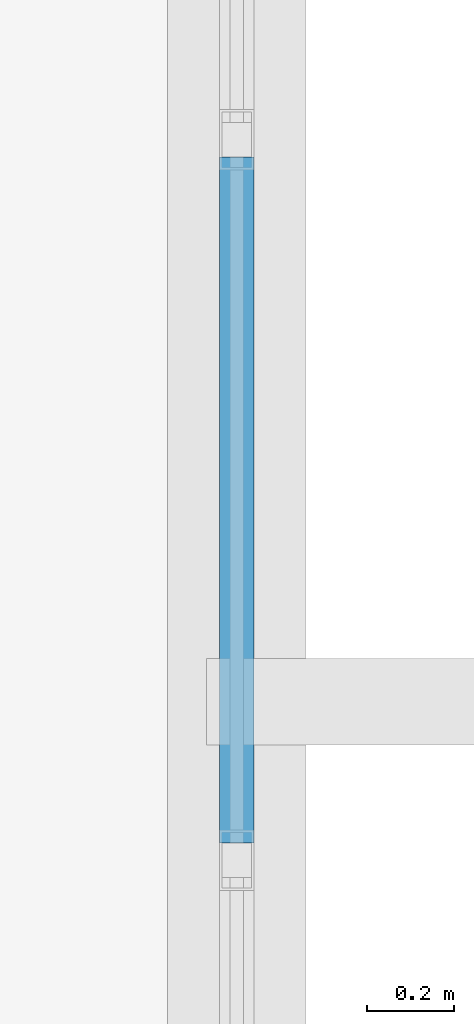
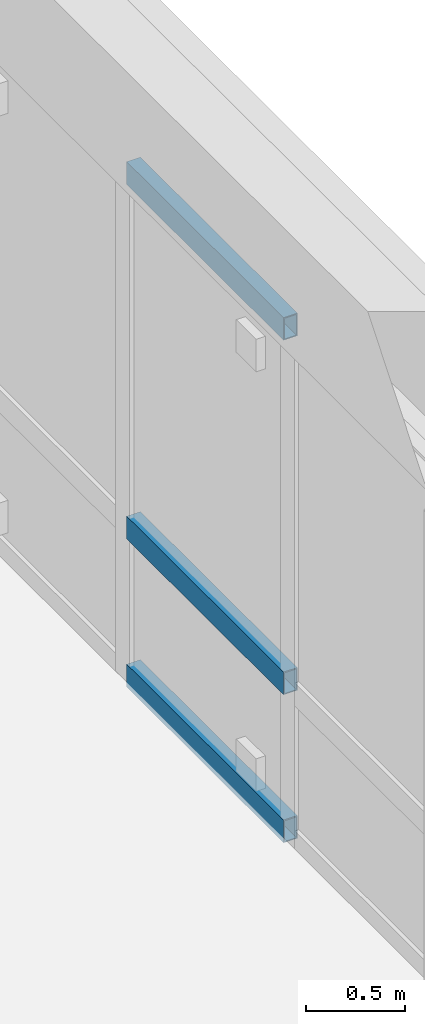
# One storey, part 148 of 217: 3 members, 1 element without a shape of its own.
"""IFC4 building model written with IfcOpenShell, lengths in metres."""

from ifc_helpers import new_model, si_unit, direction, frame, origin, origin_2d, place, context, subcontext, project, spatial, hollow_rectangle, extrude, material, layer, layer_set, material_profile, profile_set, type_object, element, aggregate, save


model = new_model("IFC4")

# Units and contexts
model_context = context("Model", 3, precision=1e-05, world=origin(), true_north=direction((0.0, 1.0)))
body_context = subcontext(model_context, "Body", "Model", "MODEL_VIEW")
ifc_project = project(units=[si_unit("LENGTHUNIT", "METRE"), si_unit("AREAUNIT", "SQUARE_METRE"), si_unit("VOLUMEUNIT", "CUBIC_METRE"), si_unit("PLANEANGLEUNIT", "RADIAN"), si_unit("MASSUNIT", "GRAM", prefix="KILO")], contexts=[model_context])

# Site, building, storey
site_placement = place(None, origin())
site = spatial("IfcSite", under=ifc_project, at=site_placement, CompositionType="ELEMENT")
building_placement = place(site_placement, origin())
building = spatial("IfcBuilding", under=site, at=building_placement, Name="Mazaris Harbour Polytechnic", CompositionType="ELEMENT")
storey_placement = place(building_placement, frame((0.0, 0.0, 9.60009765625)))
storey = spatial("IfcBuildingStorey", under=building, at=storey_placement, Name="L02", CompositionType="ELEMENT", Elevation=9.60009765625)

# Curtain wall, members
ifc_material_1 = material(Name="Anodised Bronze Aluminium and Low-E Glass", Category="aluminium")
ifc_layer = layer(ifc_material_1, 0.169921875, Name="Anodised Bronze Aluminium and Low-E Glass")
ifc_layer_set = layer_set([ifc_layer], Name="Anodised Bronze Aluminium and Low-E Glass")
curtain_wall_type = type_object("IfcCurtainWallType", Name="Studio North-Light Curtain Wall", PredefinedType="NOTDEFINED", material=ifc_layer_set)
curtain_wall_placement = place(storey_placement, origin())
curtain_wall = element("IfcCurtainWall", 1, at=curtain_wall_placement, inside=storey, type_object=curtain_wall_type, Name="V5 L02 Curtain Wall 243", PredefinedType="NOTDEFINED")
ifc_material_2 = material(Name="Anodised Bronze Steel S355", Category="steel")
ifc_material_profile = material_profile(ifc_material_2, hollow_rectangle(XDim=0.080078125, YDim=0.139892578125, WallThickness=0.00634765625, at=origin_2d()), Name="RHS 80x140x6.3")
ifc_profile_set = profile_set([ifc_material_profile], Name="Anodised Bronze Steel S355")
member_type = type_object("IfcMemberType", Name="Curtain Transom RHS80x140", PredefinedType="USERDEFINED", material=ifc_profile_set)
member_1_placement = place(storey_placement, frame((136.800048828125, 77.5634765625, 0.039794921875), z_axis=(0.0, 1.0, 0.0), x_axis=(-1.0, 0.0, 0.0)))
member_1 = element("IfcMember", 2, at=member_1_placement, type_object=member_type, Name="CW-03 transom 2.1", ObjectType="TRANSOM", PredefinedType="USERDEFINED", context=body_context, shape_type="SweptSolid", body=[
    extrude(hollow_rectangle(XDim=0.080078125, YDim=0.139892578125, WallThickness=0.00634765625, at=origin_2d()), origin(), (0.0, 0.0, 1.0), 1.58154296875),
])
member_2_placement = place(storey_placement, frame((136.800048828125, 77.5634765625, 0.949951171875), z_axis=(0.0, 1.0, 0.0), x_axis=(-1.0, 0.0, 0.0)))
member_2 = element("IfcMember", 3, at=member_2_placement, type_object=member_type, Name="CW-03 transom 2.2", ObjectType="TRANSOM", PredefinedType="USERDEFINED", context=body_context, shape_type="SweptSolid", body=[
    extrude(hollow_rectangle(XDim=0.080078125, YDim=0.139892578125, WallThickness=0.00634765625, at=origin_2d()), origin(), (0.0, 0.0, 1.0), 1.58154296875),
])
member_3_placement = place(storey_placement, frame((136.800048828125, 77.5634765625, 3.1298828125), z_axis=(0.0, 1.0, 0.0), x_axis=(-1.0, 0.0, 0.0)))
member_3 = element("IfcMember", 4, at=member_3_placement, type_object=member_type, Name="CW-03 transom 2.3", ObjectType="TRANSOM", PredefinedType="USERDEFINED", context=body_context, shape_type="SweptSolid", body=[
    extrude(hollow_rectangle(XDim=0.080078125, YDim=0.139892578125, WallThickness=0.00634765625, at=origin_2d()), origin(), (0.0, 0.0, 1.0), 1.58154296875),
])
aggregate(curtain_wall, [member_1, member_2, member_3])

save(model, "model.ifc")
